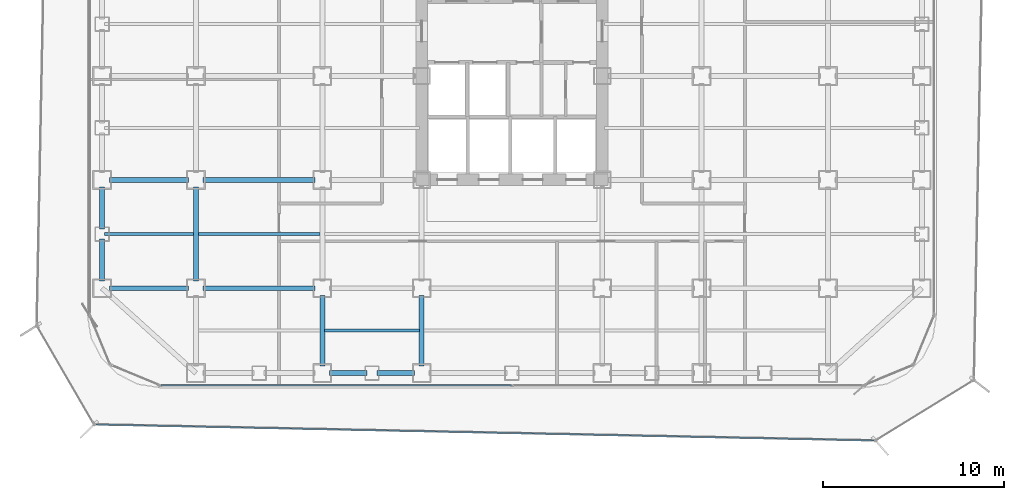
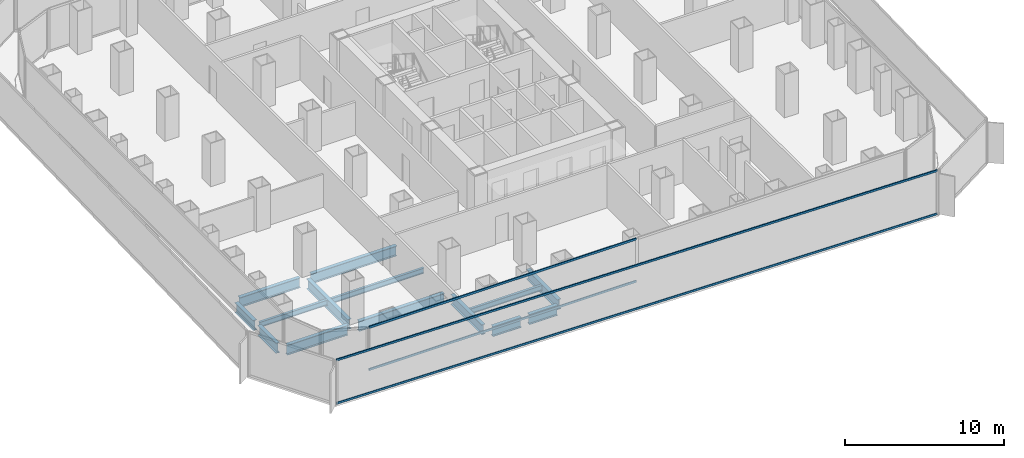
# One storey, part 3 of 21: 14 beams, 4 members, 2 elements without a shape of their own.
"""IFC4 building model written with IfcOpenShell, lengths in metres."""

from ifc_helpers import new_model, si_unit, direction, frame, origin, origin_2d, place, context, subcontext, project, spatial, hollow_rectangle, i_section, extrude, source, transform, mapped, material, layer, layer_set, material_profile, profile_set, type_object, element, aggregate, save


model = new_model("IFC4")

# Units and contexts
model_context = context("Model", 3, precision=1e-05, world=origin(), true_north=direction((0.0, 1.0)))
body_context = subcontext(model_context, "Body", "Model", "MODEL_VIEW")
ifc_project = project(units=[si_unit("LENGTHUNIT", "METRE"), si_unit("AREAUNIT", "SQUARE_METRE"), si_unit("VOLUMEUNIT", "CUBIC_METRE"), si_unit("PLANEANGLEUNIT", "RADIAN"), si_unit("MASSUNIT", "GRAM", prefix="KILO")], contexts=[model_context])

# Site, building, storey
site_placement = place(None, origin())
site = spatial("IfcSite", under=ifc_project, at=site_placement, CompositionType="ELEMENT")
building_placement = place(site_placement, origin())
building = spatial("IfcBuilding", under=site, at=building_placement, Name="Kolveth Station Tower", CompositionType="ELEMENT")
storey_placement = place(building_placement, frame((0.0, 0.0, 44.10009765625)))
storey = spatial("IfcBuildingStorey", under=building, at=storey_placement, Name="L11", CompositionType="ELEMENT", Elevation=44.10009765625)

# Beams
ifc_material_1 = material(Name="Steel S355", Category="steel")
ifc_material_profile_1 = material_profile(ifc_material_1, i_section(OverallWidth=0.26904296875, OverallDepth=0.77490234375, WebThickness=0.01708984375, FlangeThickness=0.0283203125, at=origin_2d()), Name="W760x220")
ifc_profile_set_1 = profile_set([ifc_material_profile_1], Name="Steel S355")
beam_type_1 = type_object("IfcBeamType", Name="Beam_SP1", PredefinedType="SPANDREL", material=ifc_profile_set_1)
shared_shape_1 = source(origin(), body_context, "Body", "SweptSolid", [
    extrude(i_section(OverallWidth=0.26904296875, OverallDepth=0.77490234375, WebThickness=0.01708984375, FlangeThickness=0.0283203125, at=origin_2d()), origin(), (0.0, 0.0, 1.0), 2.070068359375),
])
for number, where, z_axis, x_axis, name in (
    (1, (13.39990234375, 0.800048828125, -0.66748046875), (1.0, 0.0, 0.0), (0.0, 1.0, 0.0), "L11 Perimeter Spandrel BM-L11-PS-3"),
    (2, (16.030029296875, 0.800048828125, -0.66748046875), (1.0, 0.0, 0.0), (0.0, 1.0, 0.0), "L11 Perimeter Spandrel BM-L11-PS-4"),
):
    element("IfcBeam", number, at=place(storey_placement, frame(where, z_axis=z_axis, x_axis=x_axis)), inside=storey, type_object=beam_type_1, Name=name, PredefinedType="SPANDREL", context=body_context, shape_type="MappedRepresentation", body=[
        mapped(shared_shape_1, transform((0.0, 0.0, 0.0), x_axis=(1.0, 0.0, 0.0), y_axis=(0.0, 1.0, 0.0), z_axis=(0.0, 0.0, 1.0), scale=1.0)),
    ])
shared_shape_2 = source(origin(), body_context, "Body", "SweptSolid", [
    extrude(i_section(OverallWidth=0.26904296875, OverallDepth=0.77490234375, WebThickness=0.01708984375, FlangeThickness=0.0283203125, at=origin_2d()), origin(), (0.0, 0.0, 1.0), 2.320068359375),
])
for number, where, z_axis, x_axis, name in (
    (3, (0.800048828125, 5.89990234375, -0.66748046875), (0.0, 1.0, 0.0), (-1.0, 0.0, 0.0), "L11 Perimeter Spandrel BM-L11-PW-1"),
    (4, (0.800048828125, 8.780029296875, -0.66748046875), (0.0, 1.0, 0.0), (-1.0, 0.0, 0.0), "L11 Perimeter Spandrel BM-L11-PW-2"),
):
    element("IfcBeam", number, at=place(storey_placement, frame(where, z_axis=z_axis, x_axis=x_axis)), inside=storey, type_object=beam_type_1, Name=name, PredefinedType="SPANDREL", context=body_context, shape_type="MappedRepresentation", body=[
        mapped(shared_shape_2, transform((0.0, 0.0, 0.0), x_axis=(1.0, 0.0, 0.0), y_axis=(0.0, 1.0, 0.0), z_axis=(0.0, 0.0, 1.0), scale=1.0)),
    ])
ifc_material_profile_2 = material_profile(ifc_material_1, i_section(OverallWidth=0.26708984375, OverallDepth=0.76611328125, WebThickness=0.014892578125, FlangeThickness=0.023681640625, at=origin_2d()), Name="W760x185")
ifc_profile_set_2 = profile_set([ifc_material_profile_2], Name="Steel S355")
beam_type_2 = type_object("IfcBeamType", Name="Beam_B3", PredefinedType="BEAM", material=ifc_profile_set_2)
shared_shape_3 = source(origin(), body_context, "Body", "SweptSolid", [
    extrude(i_section(OverallWidth=0.26708984375, OverallDepth=0.76611328125, WebThickness=0.014892578125, FlangeThickness=0.023681640625, at=origin_2d()), origin(), (0.0, 0.0, 1.0), 4.400146484375),
])
for number, where, z_axis, x_axis, name in (
    (5, (1.199951171875, 5.5, -0.6630859375), (1.0, 0.0, 0.0), (0.0, 1.0, 0.0), "L11 Primary Girder BM-L11-GY55-1"),
    (6, (1.199951171875, 11.5, -0.6630859375), (1.0, 0.0, 0.0), (0.0, 1.0, 0.0), "L11 Primary Girder BM-L11-GY115-1"),
):
    element("IfcBeam", number, at=place(storey_placement, frame(where, z_axis=z_axis, x_axis=x_axis)), inside=storey, type_object=beam_type_2, Name=name, PredefinedType="BEAM", context=body_context, shape_type="MappedRepresentation", body=[
        mapped(shared_shape_3, transform((0.0, 0.0, 0.0), x_axis=(1.0, 0.0, 0.0), y_axis=(0.0, 1.0, 0.0), z_axis=(0.0, 0.0, 1.0), scale=1.0)),
    ])
shared_shape_4 = source(origin(), body_context, "Body", "SweptSolid", [
    extrude(i_section(OverallWidth=0.26708984375, OverallDepth=0.76611328125, WebThickness=0.014892578125, FlangeThickness=0.023681640625, at=origin_2d()), origin(), (0.0, 0.0, 1.0), 6.2001953125),
])
for number, where, z_axis, x_axis, name in (
    (7, (6.39990234375, 5.5, -0.6630859375), (1.0, 0.0, 0.0), (0.0, 1.0, 0.0), "L11 Primary Girder BM-L11-GY55-2"),
    (8, (6.39990234375, 11.5, -0.6630859375), (1.0, 0.0, 0.0), (0.0, 1.0, 0.0), "L11 Primary Girder BM-L11-GY115-2"),
):
    element("IfcBeam", number, at=place(storey_placement, frame(where, z_axis=z_axis, x_axis=x_axis)), inside=storey, type_object=beam_type_2, Name=name, PredefinedType="BEAM", context=body_context, shape_type="MappedRepresentation", body=[
        mapped(shared_shape_4, transform((0.0, 0.0, 0.0), x_axis=(1.0, 0.0, 0.0), y_axis=(0.0, 1.0, 0.0), z_axis=(0.0, 0.0, 1.0), scale=1.0)),
    ])
shared_shape_5 = source(origin(), body_context, "Body", "SweptSolid", [
    extrude(i_section(OverallWidth=0.26708984375, OverallDepth=0.76611328125, WebThickness=0.014892578125, FlangeThickness=0.023681640625, at=origin_2d()), origin(), (0.0, 0.0, 1.0), 3.900146484375),
])
for number, where, z_axis, x_axis, name in (
    (9, (13.0, 1.199951171875, -0.6630859375), (0.0, 1.0, 0.0), (-1.0, 0.0, 0.0), "L11 Primary Girder BM-L11-GX130-1"),
    (10, (18.5, 1.199951171875, -0.6630859375), (0.0, 1.0, 0.0), (-1.0, 0.0, 0.0), "L11 Primary Girder BM-L11-GX185-1"),
):
    element("IfcBeam", number, at=place(storey_placement, frame(where, z_axis=z_axis, x_axis=x_axis)), inside=storey, type_object=beam_type_2, Name=name, PredefinedType="BEAM", context=body_context, shape_type="MappedRepresentation", body=[
        mapped(shared_shape_5, transform((0.0, 0.0, 0.0), x_axis=(1.0, 0.0, 0.0), y_axis=(0.0, 1.0, 0.0), z_axis=(0.0, 0.0, 1.0), scale=1.0)),
    ])
shared_shape_6 = source(origin(), body_context, "Body", "SweptSolid", [
    extrude(i_section(OverallWidth=0.26708984375, OverallDepth=0.76611328125, WebThickness=0.014892578125, FlangeThickness=0.023681640625, at=origin_2d()), origin(), (0.0, 0.0, 1.0), 5.2001953125),
])
beam_1_placement = place(storey_placement, frame((6.0, 5.89990234375, -0.6630859375), z_axis=(0.0, 1.0, 0.0), x_axis=(-1.0, 0.0, 0.0)))
element("IfcBeam", 11, at=beam_1_placement, inside=storey, type_object=beam_type_2, Name="L11 Primary Girder BM-L11-GX60-2", PredefinedType="BEAM", context=body_context, shape_type="MappedRepresentation", body=[
    mapped(shared_shape_6, transform((0.0, 0.0, 0.0), x_axis=(1.0, 0.0, 0.0), y_axis=(0.0, 1.0, 0.0), z_axis=(0.0, 0.0, 1.0), scale=1.0)),
])
ifc_material_profile_3 = material_profile(ifc_material_1, i_section(OverallWidth=0.177978515625, OverallDepth=0.406982421875, WebThickness=0.0078125, FlangeThickness=0.0126953125, at=origin_2d()), Name="W410x60")
ifc_profile_set_3 = profile_set([ifc_material_profile_3], Name="Steel S355")
beam_type_3 = type_object("IfcBeamType", Name="Beam_J1", PredefinedType="JOIST", material=ifc_profile_set_3)
shared_shape_7 = source(origin(), body_context, "Body", "SweptSolid", [
    extrude(i_section(OverallWidth=0.177978515625, OverallDepth=0.406982421875, WebThickness=0.0078125, FlangeThickness=0.0126953125, at=origin_2d()), origin(), (0.0, 0.0, 1.0), 4.935791015625),
])
beam_2_placement = place(storey_placement, frame((0.9326171875, 8.5, -0.483642578125), z_axis=(1.0, 0.0, 0.0), x_axis=(0.0, 1.0, 0.0)))
element("IfcBeam", 12, at=beam_2_placement, inside=storey, type_object=beam_type_3, Name="L11 Secondary Joist JST-L11-1-2", PredefinedType="JOIST", context=body_context, shape_type="MappedRepresentation", body=[
    mapped(shared_shape_7, transform((0.0, 0.0, 0.0), x_axis=(1.0, 0.0, 0.0), y_axis=(0.0, 1.0, 0.0), z_axis=(0.0, 0.0, 1.0), scale=1.0)),
])
shared_shape_8 = source(origin(), body_context, "Body", "SweptSolid", [
    extrude(i_section(OverallWidth=0.177978515625, OverallDepth=0.406982421875, WebThickness=0.0078125, FlangeThickness=0.0126953125, at=origin_2d()), origin(), (0.0, 0.0, 1.0), 6.73681640625),
])
beam_3_placement = place(storey_placement, frame((6.131591796875, 8.5, -0.483642578125), z_axis=(1.0, 0.0, 0.0), x_axis=(0.0, 1.0, 0.0)))
element("IfcBeam", 13, at=beam_3_placement, inside=storey, type_object=beam_type_3, Name="L11 Secondary Joist JST-L11-2-2", PredefinedType="JOIST", context=body_context, shape_type="MappedRepresentation", body=[
    mapped(shared_shape_8, transform((0.0, 0.0, 0.0), x_axis=(1.0, 0.0, 0.0), y_axis=(0.0, 1.0, 0.0), z_axis=(0.0, 0.0, 1.0), scale=1.0)),
])
shared_shape_9 = source(origin(), body_context, "Body", "SweptSolid", [
    extrude(i_section(OverallWidth=0.177978515625, OverallDepth=0.406982421875, WebThickness=0.0078125, FlangeThickness=0.0126953125, at=origin_2d()), origin(), (0.0, 0.0, 1.0), 5.23681640625),
])
beam_4_placement = place(storey_placement, frame((13.131591796875, 3.14990234375, -0.483642578125), z_axis=(1.0, 0.0, 0.0), x_axis=(0.0, 1.0, 0.0)))
element("IfcBeam", 14, at=beam_4_placement, inside=storey, type_object=beam_type_3, Name="L11 Secondary Joist JST-L11-3-1", PredefinedType="JOIST", context=body_context, shape_type="MappedRepresentation", body=[
    mapped(shared_shape_9, transform((0.0, 0.0, 0.0), x_axis=(1.0, 0.0, 0.0), y_axis=(0.0, 1.0, 0.0), z_axis=(0.0, 0.0, 1.0), scale=1.0)),
])

# Curtain wall, members
ifc_material_2 = material(Name="Aluminium 6063-T6 and low-E dark glass", Category="aluminium")
ifc_layer_1 = layer(ifc_material_2, 0.179931640625)
ifc_layer_set_1 = layer_set([ifc_layer_1], Name="Aluminium 6063-T6 and low-E dark glass")
curtain_wall_type_1 = type_object("IfcCurtainWallType", Name="CurtainWall_CW-Z1", PredefinedType="NOTDEFINED", material=ifc_layer_set_1)
curtain_wall_1_placement = place(storey_placement, origin())
curtain_wall_1 = element("IfcCurtainWall", 15, at=curtain_wall_1_placement, inside=storey, type_object=curtain_wall_type_1, Name="L11 Inner Thermal Curtain Wall 12", PredefinedType="NOTDEFINED")
ifc_material_3 = material(Name="Black anodized aluminium 6063-T6", Category="aluminium")
ifc_material_profile_4 = material_profile(ifc_material_3, hollow_rectangle(XDim=0.074951171875, YDim=0.159912109375, WallThickness=0.0048828125, at=origin_2d()), Name="ALU-75x160x5")
ifc_profile_set_4 = profile_set([ifc_material_profile_4], Name="Black anodized aluminium 6063-T6")
member_type_1 = type_object("IfcMemberType", Name="Transom_TR1", PredefinedType="USERDEFINED", material=ifc_profile_set_4)
shared_shape_10 = source(origin(), body_context, "Body", "SweptSolid", [
    extrude(hollow_rectangle(XDim=0.074951171875, YDim=0.159912109375, WallThickness=0.0048828125, at=origin_2d()), origin(), (0.0, 0.0, 1.0), 19.387451171875),
])
member_1_placement = place(storey_placement, frame((4.074951171875, 0.1201171875, 0.037353515625), z_axis=(1.0, 0.0, 0.0), x_axis=(0.0, 1.0, 0.0)))
member_1 = element("IfcMember", 16, at=member_1_placement, type_object=member_type_1, Name="CW-Z1 transom 1.1", ObjectType="TRANSOM", PredefinedType="USERDEFINED", context=body_context, shape_type="MappedRepresentation", body=[
    mapped(shared_shape_10, transform((0.0, 0.0, 0.0), x_axis=(1.0, 0.0, 0.0), y_axis=(0.0, 1.0, 0.0), z_axis=(0.0, 0.0, 1.0), scale=1.0)),
])
member_2_placement = place(storey_placement, frame((4.074951171875, 0.1201171875, 3.282470703125), z_axis=(1.0, 0.0, 0.0), x_axis=(0.0, 1.0, 0.0)))
member_2 = element("IfcMember", 17, at=member_2_placement, type_object=member_type_1, Name="CW-Z1 transom 1.2", ObjectType="TRANSOM", PredefinedType="USERDEFINED", context=body_context, shape_type="MappedRepresentation", body=[
    mapped(shared_shape_10, transform((0.0, 0.0, 0.0), x_axis=(1.0, 0.0, 0.0), y_axis=(0.0, 1.0, 0.0), z_axis=(0.0, 0.0, 1.0), scale=1.0)),
])
aggregate(curtain_wall_1, [member_1, member_2])

ifc_material_4 = material(Name="Black anodized aluminium 6063-T6 and dark solar glass", Category="aluminium")
ifc_layer_2 = layer(ifc_material_4, 0.159912109375)
ifc_layer_set_2 = layer_set([ifc_layer_2], Name="Black anodized aluminium 6063-T6 and dark solar glass")
curtain_wall_type_2 = type_object("IfcCurtainWallType", Name="OUTER SKIN CW-OS", PredefinedType="NOTDEFINED", material=ifc_layer_set_2)
curtain_wall_2_placement = place(storey_placement, origin())
curtain_wall_2 = element("IfcCurtainWall", 18, at=curtain_wall_2_placement, inside=storey, type_object=curtain_wall_type_2, Name="L11 Outer Ventilated Skin Curtain Wall 8", PredefinedType="NOTDEFINED")
ifc_material_profile_5 = material_profile(ifc_material_3, hollow_rectangle(XDim=0.080078125, YDim=0.14990234375, WallThickness=0.0048828125, at=origin_2d()), Name="ALU-80x150x5")
ifc_profile_set_5 = profile_set([ifc_material_profile_5], Name="Black anodized aluminium 6063-T6")
member_type_2 = type_object("IfcMemberType", Name="Transom_TR-OS", PredefinedType="USERDEFINED", material=ifc_profile_set_5)
shared_shape_11 = source(origin(), body_context, "Body", "SweptSolid", [
    extrude(hollow_rectangle(XDim=0.080078125, YDim=0.14990234375, WallThickness=0.0048828125, at=origin_2d()), origin(), (0.0, 0.0, 1.0), 43.10009765625),
])
member_3_placement = place(storey_placement, frame((0.4560546875, -2.04736328125, 0.039794921875), z_axis=(0.999787644898, -0.020607404219, 0.0), x_axis=(0.020607404219, 0.999787644898, 0.0)))
member_3 = element("IfcMember", 19, at=member_3_placement, type_object=member_type_2, Name="CW-OS transom 1.1", ObjectType="TRANSOM", PredefinedType="USERDEFINED", context=body_context, shape_type="MappedRepresentation", body=[
    mapped(shared_shape_11, transform((0.0, 0.0, 0.0), x_axis=(1.0, 0.0, 0.0), y_axis=(0.0, 1.0, 0.0), z_axis=(0.0, 0.0, 1.0), scale=1.0)),
])
member_4_placement = place(storey_placement, frame((0.4560546875, -2.04736328125, 3.349853515625), z_axis=(0.999787644898, -0.020607404219, 0.0), x_axis=(0.020607404219, 0.999787644898, 0.0)))
member_4 = element("IfcMember", 20, at=member_4_placement, type_object=member_type_2, Name="CW-OS transom 1.2", ObjectType="TRANSOM", PredefinedType="USERDEFINED", context=body_context, shape_type="MappedRepresentation", body=[
    mapped(shared_shape_11, transform((0.0, 0.0, 0.0), x_axis=(1.0, 0.0, 0.0), y_axis=(0.0, 1.0, 0.0), z_axis=(0.0, 0.0, 1.0), scale=1.0)),
])
aggregate(curtain_wall_2, [member_3, member_4])

save(model, "model.ifc")
